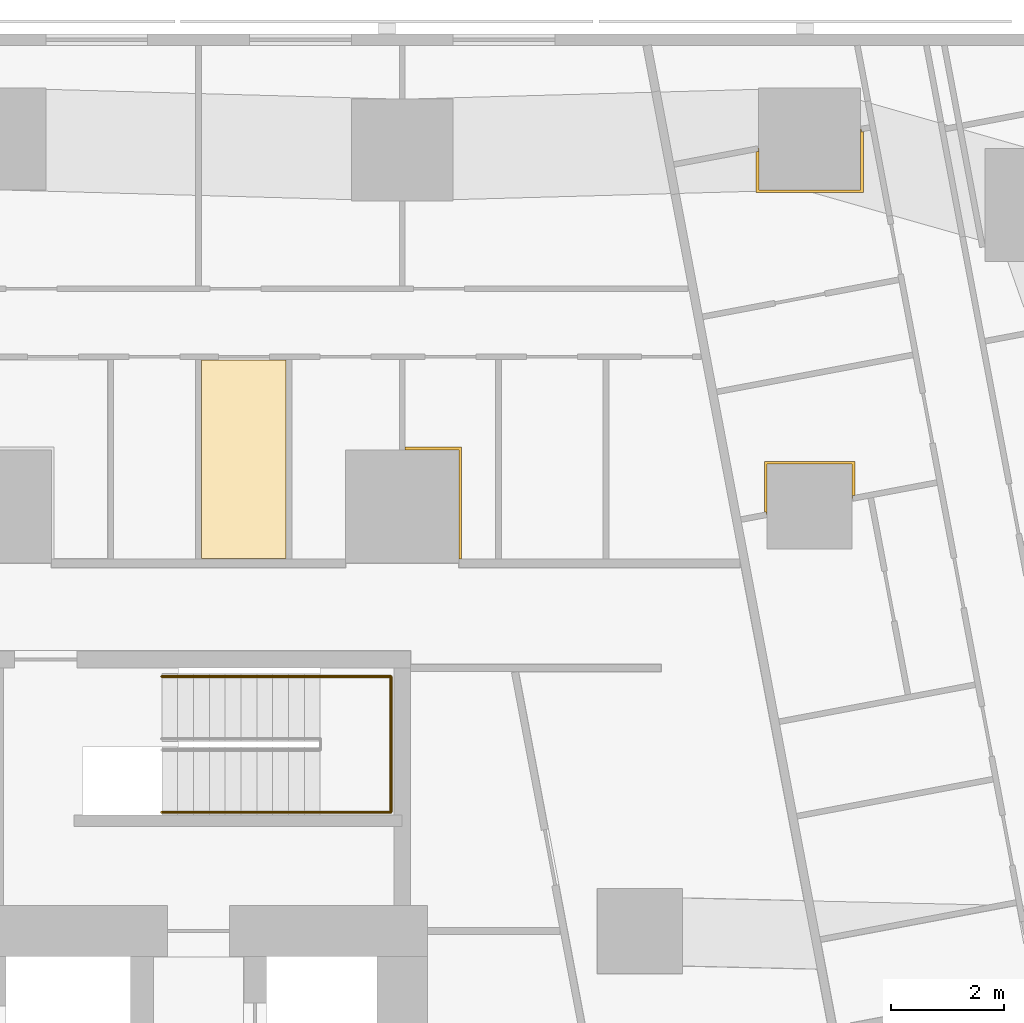
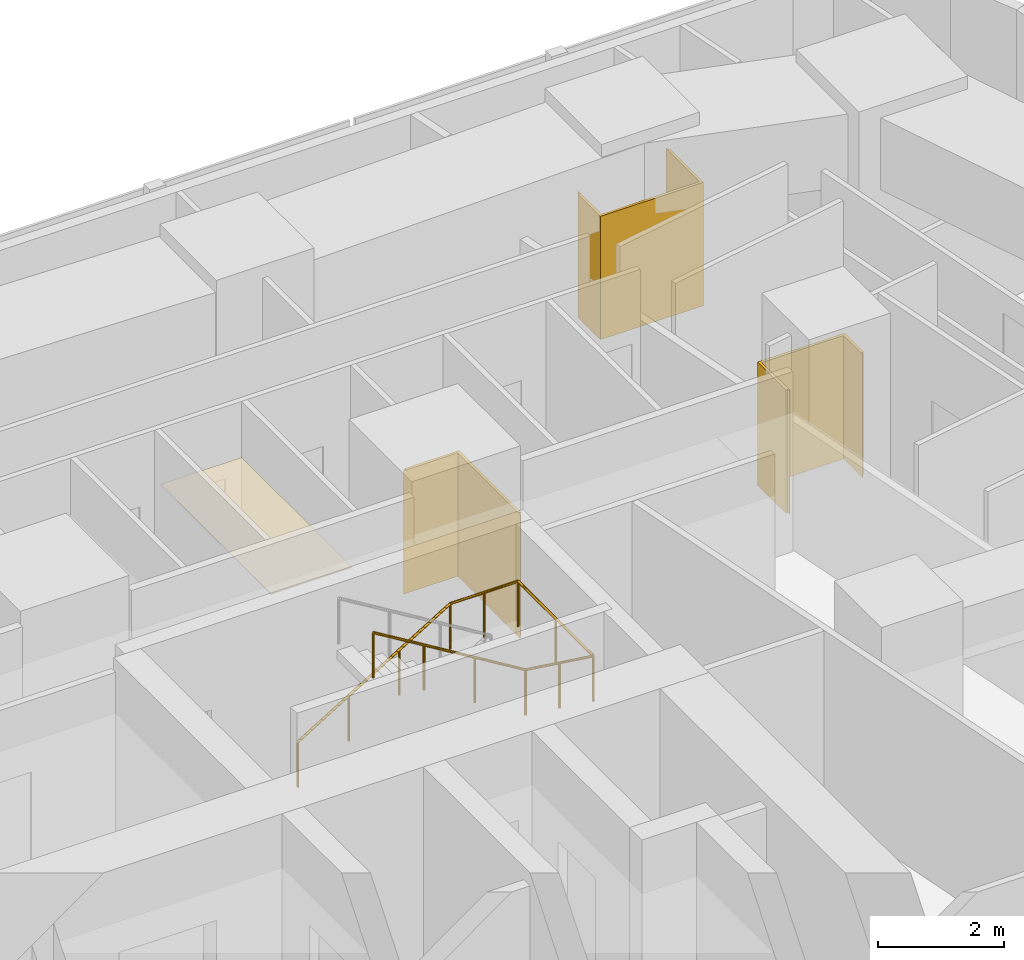
# One storey, part 14 of 14: 4 coverings, 1 railing.
"""IFC4 building model written with IfcOpenShell, lengths in metres."""

from ifc_helpers import new_model, si_unit, direction, frame, origin, origin_2d, place, context, subcontext, project, spatial, polyline, circle, outline, extrude, material, layer, layer_set, type_object, element, save


model = new_model("IFC4")

# Units and contexts
model_context = context("Model", 3, precision=1e-05, world=origin(), true_north=direction((0.0, 1.0)))
body_context = subcontext(model_context, "Body", "Model", "MODEL_VIEW")
ifc_project = project(units=[si_unit("LENGTHUNIT", "METRE"), si_unit("AREAUNIT", "SQUARE_METRE"), si_unit("VOLUMEUNIT", "CUBIC_METRE"), si_unit("PLANEANGLEUNIT", "RADIAN"), si_unit("MASSUNIT", "GRAM", prefix="KILO")], contexts=[model_context])

# Site, building, storey
site_placement = place(None, origin())
site = spatial("IfcSite", under=ifc_project, at=site_placement, CompositionType="ELEMENT")
building_placement = place(site_placement, origin())
building = spatial("IfcBuilding", under=site, at=building_placement, Name="Sheger Commons Tower", CompositionType="ELEMENT")
storey_placement = place(building_placement, frame((0.0, 0.0, 135.800048828125)))
storey = spatial("IfcBuildingStorey", under=building, at=storey_placement, Name="L34", CompositionType="ELEMENT", Elevation=135.800048828125)

# Railing
ifc_material_1 = material(Name="Steel handrail, black powder-coated", Category="steel")
railing_type = type_object("IfcRailingType", Name="HANDRAIL 900", PredefinedType="HANDRAIL", material=ifc_material_1)
railing_placement = place(storey_placement, frame((24.550048828125, 34.5, 0.17041015625)))
element("IfcRailing", 1, at=railing_placement, inside=storey, type_object=railing_type, Name="Stair S2 handrail L34", PredefinedType="HANDRAIL", context=body_context, shape_type="SweptSolid", body=[
    extrude(circle(Radius=0.02392578125, at=origin_2d()), frame((0.0, 0.0, 0.8759765625), z_axis=(0.854169791009, 0.0, 0.51999420009), x_axis=(0.0, 1.0, 0.0)), (0.0, 0.0, 1.0), 3.278076171875),
    extrude(circle(Radius=0.02392578125, at=origin_2d()), frame((2.800048828125, 0.0, 2.58056640625), z_axis=(1.0, 0.0, 0.0), x_axis=(0.0, 1.0, 0.0)), (0.0, 0.0, 1.0), 1.25),
    extrude(circle(Radius=0.02392578125, at=origin_2d()), frame((4.050048828125, 0.0, 2.58056640625), z_axis=(0.0, -1.0, 0.0), x_axis=(1.0, 0.0, 0.0)), (0.0, 0.0, 1.0), 2.39990234375),
    extrude(circle(Radius=0.02392578125, at=origin_2d()), frame((4.050048828125, -2.39990234375, 2.58056640625), z_axis=(-0.990834877927, 0.0, 0.135078661092), x_axis=(0.0, -1.0, 0.0)), (0.0, 0.0, 1.0), 1.261474609375),
    extrude(circle(Radius=0.02392578125, at=origin_2d()), frame((2.800048828125, -2.39990234375, 2.7509765625), z_axis=(-0.854169791009, 0.0, 0.51999420009), x_axis=(0.0, -1.0, 0.0)), (0.0, 0.0, 1.0), 3.278076171875),
    extrude(circle(Radius=0.02099609375, at=origin_2d()), origin(), (0.0, 0.0, 1.0), 0.851806640625),
    extrude(circle(Radius=0.02099609375, at=origin_2d()), frame((0.933349609375, 0.0, 0.568115234375)), (0.0, 0.0, 1.0), 0.851806640625),
    extrude(circle(Radius=0.02099609375, at=origin_2d()), frame((1.86669921875, 0.0, 1.136474609375)), (0.0, 0.0, 1.0), 0.851806640625),
    extrude(circle(Radius=0.02099609375, at=origin_2d()), frame((2.800048828125, 0.0, 1.70458984375)), (0.0, 0.0, 1.0), 0.851806640625),
    extrude(circle(Radius=0.02099609375, at=origin_2d()), frame((3.425048828125, 0.0, 1.70458984375)), (0.0, 0.0, 1.0), 0.851806640625),
    extrude(circle(Radius=0.02099609375, at=origin_2d()), frame((4.050048828125, 0.0, 1.70458984375)), (0.0, 0.0, 1.0), 0.851806640625),
    extrude(circle(Radius=0.02099609375, at=origin_2d()), frame((4.050048828125, -1.199951171875, 1.70458984375)), (0.0, 0.0, 1.0), 0.851806640625),
    extrude(circle(Radius=0.02099609375, at=origin_2d()), frame((4.050048828125, -2.39990234375, 1.70458984375)), (0.0, 0.0, 1.0), 0.851806640625),
    extrude(circle(Radius=0.02099609375, at=origin_2d()), frame((3.425048828125, -2.39990234375, 1.789794921875)), (0.0, 0.0, 1.0), 0.851806640625),
    extrude(circle(Radius=0.02099609375, at=origin_2d()), frame((2.800048828125, -2.39990234375, 1.875)), (0.0, 0.0, 1.0), 0.851806640625),
    extrude(circle(Radius=0.02099609375, at=origin_2d()), frame((1.86669921875, -2.39990234375, 2.443115234375)), (0.0, 0.0, 1.0), 0.851806640625),
    extrude(circle(Radius=0.02099609375, at=origin_2d()), frame((0.933349609375, -2.39990234375, 3.011474609375)), (0.0, 0.0, 1.0), 0.851806640625),
    extrude(circle(Radius=0.02099609375, at=origin_2d()), frame((0.0, -2.39990234375, 3.57958984375)), (0.0, 0.0, 1.0), 0.851806640625),
])

# Coverings
ifc_material_2 = material(Name="Moisture-resistant gypsum plasterboard 15 mm on a suspended galvanised steel grid", Category="steel")
ifc_layer_1 = layer(ifc_material_2, 0.014892578125)
ifc_layer_set_1 = layer_set([ifc_layer_1], Name="MOISTURE-RESISTANT CEILING 15")
covering_type_1 = type_object("IfcCoveringType", Name="MOISTURE-RESISTANT CEILING 15", PredefinedType="CEILING", material=ifc_layer_set_1)
covering_1_placement = place(storey_placement, frame((0.0, 0.0, 2.39990234375)))
element("IfcCovering", 2, at=covering_1_placement, inside=storey, type_object=covering_type_1, Name="L34-12.B2 ceiling", PredefinedType="CEILING", context=body_context, shape_type="SweptSolid", body=[
    extrude(outline(polyline([(25.2548828125, 36.580078125), (26.7451171875, 36.580078125), (26.7451171875, 40.094970703125), (25.2548828125, 40.094970703125), (25.2548828125, 36.580078125)])), origin(), (0.0, 0.0, 1.0), 0.01513671875),
])
ifc_material_3 = material(Name="Moisture-resistant gypsum board 12.5 mm on 25 mm treated timber battens, tanked and tiled", Category="wood")
ifc_layer_2 = layer(ifc_material_3, 0.050048828125)
ifc_layer_set_2 = layer_set([ifc_layer_2], Name="WET-ROOM COLUMN LINING")
covering_type_2 = type_object("IfcCoveringType", Name="WET-ROOM COLUMN LINING", PredefinedType="CLADDING", material=ifc_layer_set_2)
covering_2_placement = place(storey_placement, origin())
element("IfcCovering", 3, at=covering_2_placement, inside=storey, type_object=covering_type_2, Name="Laundry room column lining C7 L34", PredefinedType="CLADDING", context=body_context, shape_type="SweptSolid", body=[
    extrude(outline(polyline([(29.85009765625, 36.574951171875), (29.801025390625, 36.574951171875), (29.801025390625, 36.5), (29.800048828125, 36.5), (29.800048828125, 38.5), (28.800048828125, 38.5), (28.800048828125, 38.5009765625), (28.85009765625, 38.5009765625), (28.85009765625, 38.550048828125), (29.85009765625, 38.550048828125), (29.85009765625, 36.574951171875)])), origin(), (0.0, 0.0, 1.0), 2.39990234375),
])
covering_3_placement = place(storey_placement, origin())
element("IfcCovering", 4, at=covering_3_placement, inside=storey, type_object=covering_type_2, Name="Store and laundry column lining C10 L34", PredefinedType="CLADDING", context=body_context, shape_type="SweptSolid", body=[
    extrude(outline(polyline([(36.800048828125, 38.300048828125), (36.800048828125, 37.701904296875), (36.7509765625, 37.693115234375), (36.760009765625, 37.64404296875), (36.75, 37.64208984375), (36.75, 38.25), (35.25, 38.25), (35.25, 37.35888671875), (35.239990234375, 37.35693359375), (35.23095703125, 37.406005859375), (35.199951171875, 37.39990234375), (35.199951171875, 38.300048828125), (36.800048828125, 38.300048828125)])), origin(), (0.0, 0.0, 1.0), 2.39990234375),
])
covering_4_placement = place(storey_placement, origin())
element("IfcCovering", 5, at=covering_4_placement, inside=storey, type_object=covering_type_2, Name="Store and laundry column lining C8 L34", PredefinedType="CLADDING", context=body_context, shape_type="SweptSolid", body=[
    extrude(outline(polyline([(35.10009765625, 43.830078125), (35.10009765625, 43.10009765625), (36.89990234375, 43.10009765625), (36.89990234375, 44.1708984375), (36.909912109375, 44.173095703125), (36.9189453125, 44.123046875), (36.949951171875, 44.12890625), (36.949951171875, 43.050048828125), (35.050048828125, 43.050048828125), (35.050048828125, 43.77001953125), (35.09912109375, 43.779052734375), (35.090087890625, 43.827880859375), (35.10009765625, 43.830078125)])), origin(), (0.0, 0.0, 1.0), 2.39990234375),
])

save(model, "model.ifc")
